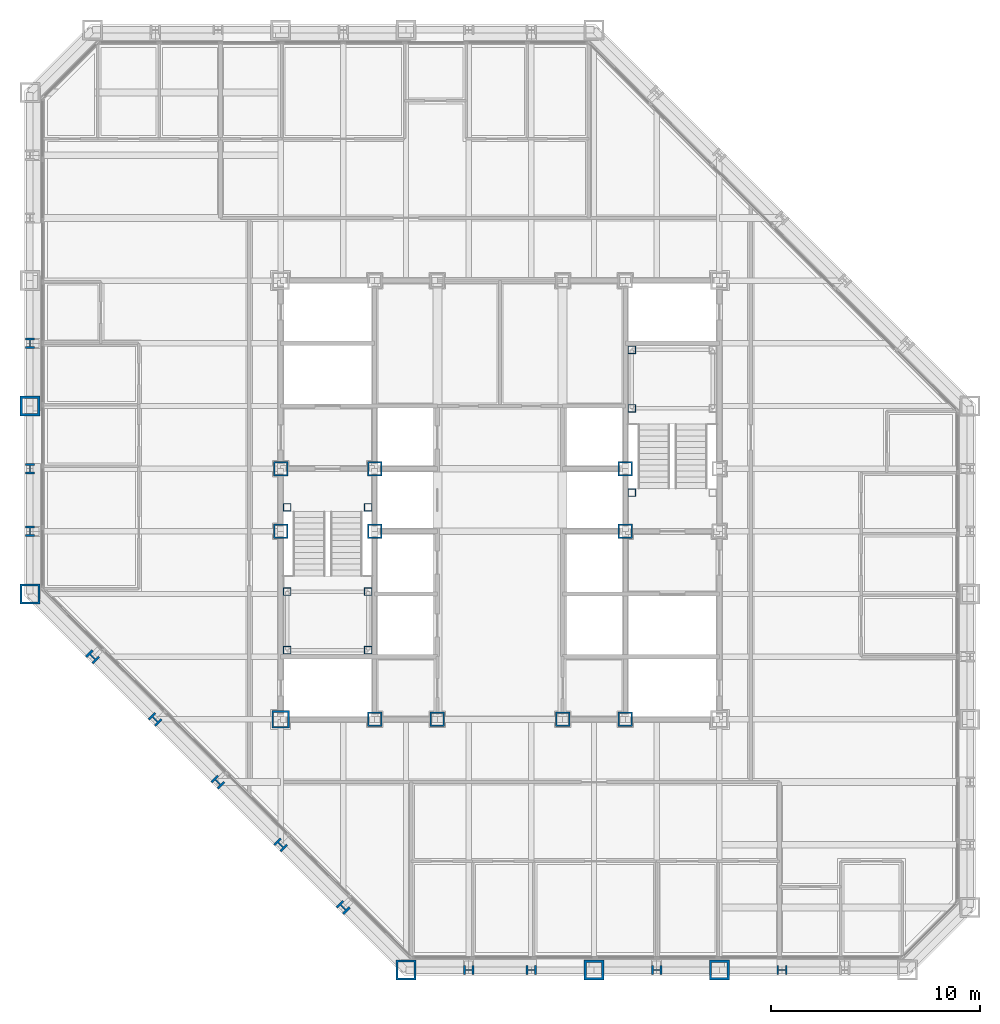
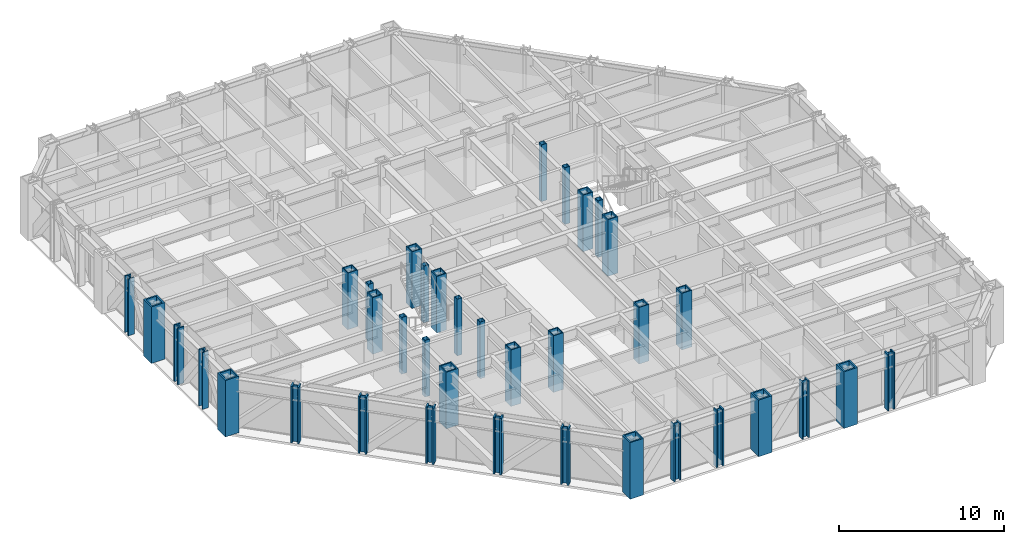
# One storey, part 1 of 16: 37 columns.
"""IFC4 building model written with IfcOpenShell, lengths in metres."""

from ifc_helpers import new_model, si_unit, direction, frame, origin, origin_2d, place, context, subcontext, project, spatial, hollow_rectangle, i_section, extrude, material, material_profile, profile_set, type_object, element, save


model = new_model("IFC4")

# Units and contexts
model_context = context("Model", 3, precision=1e-05, world=origin(), true_north=direction((0.0, 1.0)))
body_context = subcontext(model_context, "Body", "Model", "MODEL_VIEW")
ifc_project = project(units=[si_unit("LENGTHUNIT", "METRE"), si_unit("AREAUNIT", "SQUARE_METRE"), si_unit("VOLUMEUNIT", "CUBIC_METRE"), si_unit("PLANEANGLEUNIT", "RADIAN"), si_unit("MASSUNIT", "GRAM", prefix="KILO")], contexts=[model_context])

# Site, building, storey
site_placement = place(None, origin())
site = spatial("IfcSite", under=ifc_project, at=site_placement, CompositionType="ELEMENT")
building_placement = place(site_placement, origin())
building = spatial("IfcBuilding", under=site, at=building_placement, Name="Chuquiago Exchange Tower", CompositionType="ELEMENT")
storey_placement = place(building_placement, frame((0.0, 0.0, 111.0)))
storey = spatial("IfcBuildingStorey", under=building, at=storey_placement, Name="L23", CompositionType="ELEMENT", Elevation=111.0)

# Columns
ifc_material_1 = material(Name="Steel ASTM A992", Category="steel")
ifc_material_profile_1 = material_profile(ifc_material_1, i_section(OverallWidth=0.431884765625, OverallDepth=0.497802734375, WebThickness=0.0556640625, FlangeThickness=0.0888671875, at=origin_2d()), Name="W14X500")
ifc_profile_set_1 = profile_set([ifc_material_profile_1], Name="Steel ASTM A992")
column_type_1 = type_object("IfcColumnType", Name="C3 W14X500", PredefinedType="COLUMN", material=ifc_profile_set_1)
for number, where, z_axis, x_axis, name in (
    (1, (21.0, 0.0, 0.0), (0.0, 0.0, 1.0), (0.0, -1.0, 0.0), "COL-L23-21_0"),
    (2, (24.0, 0.0, 0.0), (0.0, 0.0, 1.0), (0.0, -1.0, 0.0), "COL-L23-24_0"),
    (3, (30.0, 0.0, 0.0), (0.0, 0.0, 1.0), (0.0, -1.0, 0.0), "COL-L23-30_0"),
    (4, (36.0, 0.0, 0.0), (0.0, 0.0, 1.0), (0.0, -1.0, 0.0), "COL-L23-36_0"),
    (5, (0.0, 30.0, 0.0), (0.0, 0.0, 1.0), (-1.0, 0.0, 0.0), "COL-L23-0_30"),
    (6, (0.0, 24.0, 0.0), (0.0, 0.0, 1.0), (-1.0, 0.0, 0.0), "COL-L23-0_24"),
    (7, (0.0, 21.0, 0.0), (0.0, 0.0, 1.0), (-1.0, 0.0, 0.0), "COL-L23-0_21"),
):
    element("IfcColumn", number, at=place(storey_placement, frame(where, z_axis=z_axis, x_axis=x_axis)), inside=storey, type_object=column_type_1, Name=name, PredefinedType="COLUMN", context=body_context, shape_type="SweptSolid", body=[
        extrude(i_section(OverallWidth=0.431884765625, OverallDepth=0.497802734375, WebThickness=0.0556640625, FlangeThickness=0.0888671875, at=origin_2d()), origin(), (0.0, 0.0, 1.0), 4.199951171875),
    ])
ifc_material_2 = material(Name="Steel ASTM A572 Grade 50", Category="steel")
ifc_material_profile_2 = material_profile(ifc_material_2, hollow_rectangle(XDim=0.699951171875, YDim=0.699951171875, WallThickness=0.070068359375, at=origin_2d()), Name="BOX700X700X70")
ifc_profile_set_2 = profile_set([ifc_material_profile_2], Name="Steel ASTM A572 Grade 50")
column_type_2 = type_object("IfcColumnType", Name="CC3 BOX700X700X70", PredefinedType="COLUMN", material=ifc_profile_set_2)
for number, where, z_axis, x_axis, name in (
    (8, (16.5, 12.0, 0.0), (0.0, 0.0, 1.0), (1.0, 0.0, 0.0), "CCOL-L23-16.5_12"),
    (9, (19.5, 12.0, 0.0), (0.0, 0.0, 1.0), (1.0, 0.0, 0.0), "CCOL-L23-19.5_12"),
    (10, (25.5, 12.0, 0.0), (0.0, 0.0, 1.0), (1.0, 0.0, 0.0), "CCOL-L23-25.5_12"),
    (11, (28.5, 12.0, 0.0), (0.0, 0.0, 1.0), (1.0, 0.0, 0.0), "CCOL-L23-28.5_12"),
    (12, (12.0, 21.0, 0.0), (0.0, 0.0, 1.0), (1.0, 0.0, 0.0), "CCOL-L23-12_21"),
    (13, (12.0, 24.0, 0.0), (0.0, 0.0, 1.0), (1.0, 0.0, 0.0), "CCOL-L23-12_24"),
    (14, (16.5, 21.0, 0.0), (0.0, 0.0, 1.0), (1.0, 0.0, 0.0), "CCOL-L23-16.5_21"),
    (15, (16.5, 24.0, 0.0), (0.0, 0.0, 1.0), (1.0, 0.0, 0.0), "CCOL-L23-16.5_24"),
    (16, (28.5, 21.0, 0.0), (0.0, 0.0, 1.0), (1.0, 0.0, 0.0), "CCOL-L23-28.5_21"),
    (17, (28.5, 24.0, 0.0), (0.0, 0.0, 1.0), (1.0, 0.0, 0.0), "CCOL-L23-28.5_24"),
):
    element("IfcColumn", number, at=place(storey_placement, frame(where, z_axis=z_axis, x_axis=x_axis)), inside=storey, type_object=column_type_2, Name=name, PredefinedType="COLUMN", context=body_context, shape_type="SweptSolid", body=[
        extrude(hollow_rectangle(XDim=0.699951171875, YDim=0.699951171875, WallThickness=0.070068359375, at=origin_2d()), origin(), (0.0, 0.0, 1.0), 4.199951171875),
    ])
ifc_material_3 = material(Name="Steel ASTM A572 Grade 50", Category="steel")
ifc_material_profile_3 = material_profile(ifc_material_3, hollow_rectangle(XDim=0.85009765625, YDim=0.85009765625, WallThickness=0.0849609375, at=origin_2d()), Name="BOX850X850X85")
ifc_profile_set_3 = profile_set([ifc_material_profile_3], Name="Steel ASTM A572 Grade 50")
column_type_3 = type_object("IfcColumnType", Name="CC6 BOX850X850X85", PredefinedType="COLUMN", material=ifc_profile_set_3)
column_placement = place(storey_placement, frame((12.0, 12.0, 0.0), z_axis=(0.0, 0.0, 1.0), x_axis=(1.0, 0.0, 0.0)))
element("IfcColumn", 18, at=column_placement, inside=storey, type_object=column_type_3, Name="CCOL-L23-12_12", PredefinedType="COLUMN", context=body_context, shape_type="SweptSolid", body=[
    extrude(hollow_rectangle(XDim=0.85009765625, YDim=0.85009765625, WallThickness=0.0849609375, at=origin_2d()), origin(), (0.0, 0.0, 1.0), 4.199951171875),
])
ifc_material_4 = material(Name="Steel ASTM A992", Category="steel")
ifc_material_profile_4 = material_profile(ifc_material_4, i_section(OverallWidth=0.44189453125, OverallDepth=0.53076171875, WebThickness=0.06591796875, FlangeThickness=0.105712890625, at=origin_2d()), Name="W14X605")
ifc_profile_set_4 = profile_set([ifc_material_profile_4], Name="Steel ASTM A992")
column_type_4 = type_object("IfcColumnType", Name="CK3 W14X605", PredefinedType="COLUMN", material=ifc_profile_set_4)
for number, where, z_axis, x_axis, name in (
    (19, (3.0, 15.0, 0.0), (0.0, 0.0, 1.0), (-0.707106781187, -0.707106781187, 0.0), "COL-L23-3_15"),
    (20, (6.0, 12.0, 0.0), (0.0, 0.0, 1.0), (-0.707106781187, -0.707106781187, 0.0), "COL-L23-6_12"),
    (21, (9.0, 9.0, 0.0), (0.0, 0.0, 1.0), (-0.707106781187, -0.707106781187, 0.0), "COL-L23-9_9"),
    (22, (12.0, 6.0, 0.0), (0.0, 0.0, 1.0), (-0.707106781187, -0.707106781187, 0.0), "COL-L23-12_6"),
    (23, (15.0, 3.0, 0.0), (0.0, 0.0, 1.0), (-0.707106781187, -0.707106781187, 0.0), "COL-L23-15_3"),
):
    element("IfcColumn", number, at=place(storey_placement, frame(where, z_axis=z_axis, x_axis=x_axis)), inside=storey, type_object=column_type_4, Name=name, PredefinedType="COLUMN", context=body_context, shape_type="SweptSolid", body=[
        extrude(i_section(OverallWidth=0.44189453125, OverallDepth=0.53076171875, WebThickness=0.06591796875, FlangeThickness=0.105712890625, at=origin_2d()), origin(), (0.0, 0.0, 1.0), 4.199951171875),
    ])
ifc_material_5 = material(Name="Steel ASTM A572 Grade 50", Category="steel")
ifc_material_profile_5 = material_profile(ifc_material_5, hollow_rectangle(XDim=0.949951171875, YDim=0.949951171875, WallThickness=0.094970703125, at=origin_2d()), Name="BOX950X950X95")
ifc_profile_set_5 = profile_set([ifc_material_profile_5], Name="Steel ASTM A572 Grade 50")
column_type_5 = type_object("IfcColumnType", Name="CN1 BOX950X950X95", PredefinedType="COLUMN", material=ifc_profile_set_5)
for number, where, z_axis, x_axis, name in (
    (24, (18.0, 0.0, 0.0), (0.0, 0.0, 1.0), (0.0, -1.0, 0.0), "COL-L23-18_0"),
    (25, (0.0, 18.0, 0.0), (0.0, 0.0, 1.0), (-1.0, 0.0, 0.0), "COL-L23-0_18"),
):
    element("IfcColumn", number, at=place(storey_placement, frame(where, z_axis=z_axis, x_axis=x_axis)), inside=storey, type_object=column_type_5, Name=name, PredefinedType="COLUMN", context=body_context, shape_type="SweptSolid", body=[
        extrude(hollow_rectangle(XDim=0.949951171875, YDim=0.949951171875, WallThickness=0.094970703125, at=origin_2d()), origin(), (0.0, 0.0, 1.0), 4.199951171875),
    ])
ifc_material_6 = material(Name="Steel ASTM A572 Grade 42", Category="steel")
ifc_material_profile_6 = material_profile(ifc_material_6, hollow_rectangle(XDim=0.949951171875, YDim=0.949951171875, WallThickness=0.110107421875, at=origin_2d()), Name="BOX950X950X110")
ifc_profile_set_6 = profile_set([ifc_material_profile_6], Name="Steel ASTM A572 Grade 42")
column_type_6 = type_object("IfcColumnType", Name="CT1 BOX950X950X110", PredefinedType="COLUMN", material=ifc_profile_set_6)
for number, where, z_axis, x_axis, name in (
    (26, (27.0, 0.0, 0.0), (0.0, 0.0, 1.0), (0.0, -1.0, 0.0), "COL-L23-27_0"),
    (27, (33.0, 0.0, 0.0), (0.0, 0.0, 1.0), (0.0, -1.0, 0.0), "COL-L23-33_0"),
    (28, (0.0, 27.0, 0.0), (0.0, 0.0, 1.0), (-1.0, 0.0, 0.0), "COL-L23-0_27"),
):
    element("IfcColumn", number, at=place(storey_placement, frame(where, z_axis=z_axis, x_axis=x_axis)), inside=storey, type_object=column_type_6, Name=name, PredefinedType="COLUMN", context=body_context, shape_type="SweptSolid", body=[
        extrude(hollow_rectangle(XDim=0.949951171875, YDim=0.949951171875, WallThickness=0.110107421875, at=origin_2d()), origin(), (0.0, 0.0, 1.0), 4.199951171875),
    ])
ifc_material_7 = material(Name="Steel ASTM A500 Grade C", Category="steel")
ifc_material_profile_7 = material_profile(ifc_material_7, hollow_rectangle(XDim=0.355712890625, YDim=0.355712890625, WallThickness=0.0146484375, at=origin_2d()), Name="HSS14X14X5/8")
ifc_profile_set_7 = profile_set([ifc_material_profile_7], Name="Steel ASTM A500 Grade C")
column_type_7 = type_object("IfcColumnType", Name="PT2 HSS14X14X5/8", PredefinedType="COLUMN", material=ifc_profile_set_7)
for number, where, z_axis, x_axis, name in (
    (29, (12.31005859375, 15.31005859375, 0.0), (0.0, 0.0, 1.0), (1.0, 0.0, 0.0), "Stair ST1 L23 landing post"),
    (30, (16.18994140625, 15.31005859375, 0.0), (0.0, 0.0, 1.0), (1.0, 0.0, 0.0), "Stair ST1 L23 landing post"),
    (31, (12.31005859375, 18.110107421875, 0.0), (0.0, 0.0, 1.0), (1.0, 0.0, 0.0), "Stair ST1 L23 landing post"),
    (32, (16.18994140625, 18.110107421875, 0.0), (0.0, 0.0, 1.0), (1.0, 0.0, 0.0), "Stair ST1 L23 landing post"),
    (33, (12.31005859375, 22.14990234375, 0.0), (0.0, 0.0, 1.0), (1.0, 0.0, 0.0), "Stair ST1 L23 landing post"),
    (34, (16.18994140625, 22.14990234375, 0.0), (0.0, 0.0, 1.0), (1.0, 0.0, 0.0), "Stair ST1 L23 landing post"),
    (35, (28.81005859375, 29.68994140625, 0.0), (0.0, 0.0, 1.0), (1.0, 0.0, 0.0), "Stair ST2 L23 landing post"),
    (36, (28.81005859375, 26.889892578125, 0.0), (0.0, 0.0, 1.0), (1.0, 0.0, 0.0), "Stair ST2 L23 landing post"),
    (37, (28.81005859375, 22.85009765625, 0.0), (0.0, 0.0, 1.0), (1.0, 0.0, 0.0), "Stair ST2 L23 landing post"),
):
    element("IfcColumn", number, at=place(storey_placement, frame(where, z_axis=z_axis, x_axis=x_axis)), inside=storey, type_object=column_type_7, Name=name, PredefinedType="COLUMN", context=body_context, shape_type="SweptSolid", body=[
        extrude(hollow_rectangle(XDim=0.355712890625, YDim=0.355712890625, WallThickness=0.0146484375, at=origin_2d()), origin(), (0.0, 0.0, 1.0), 4.199951171875),
    ])

save(model, "model.ifc")
